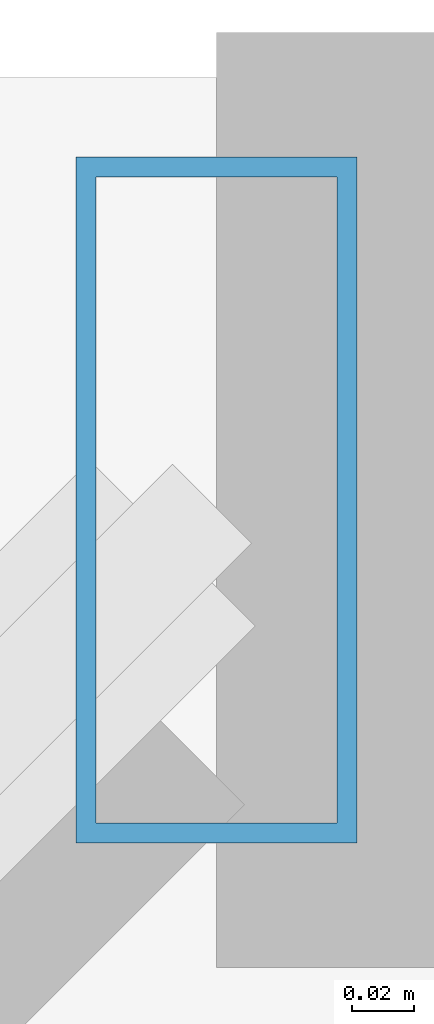
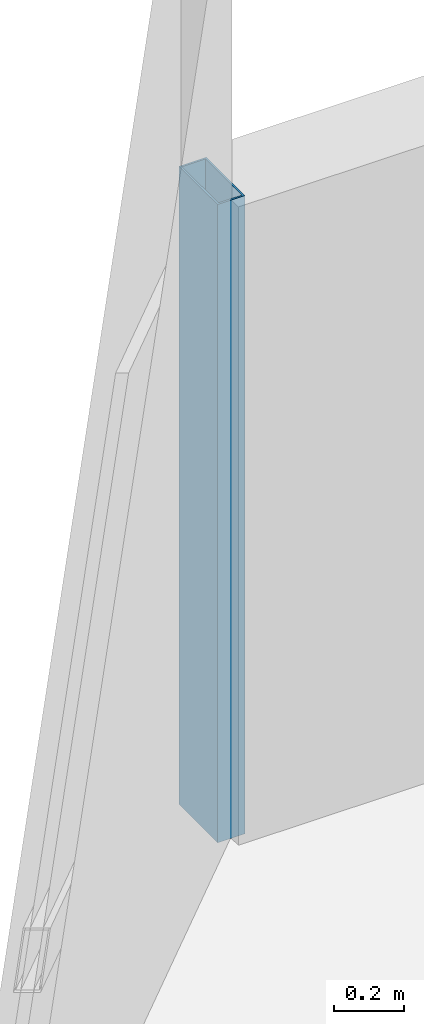
# One storey, part 9 of 36: 1 member, 1 element without a shape of its own.
"""IFC4 building model written with IfcOpenShell, lengths in metres."""

from ifc_helpers import new_model, si_unit, direction, frame, origin, origin_2d, place, context, subcontext, project, spatial, hollow_rectangle, extrude, material, material_profile, profile_set, type_object, element, aggregate, save


model = new_model("IFC4")

# Units and contexts
model_context = context("Model", 3, precision=1e-05, world=origin(), true_north=direction((0.0, 1.0)))
body_context = subcontext(model_context, "Body", "Model", "MODEL_VIEW")
ifc_project = project(units=[si_unit("LENGTHUNIT", "METRE"), si_unit("AREAUNIT", "SQUARE_METRE"), si_unit("VOLUMEUNIT", "CUBIC_METRE"), si_unit("PLANEANGLEUNIT", "RADIAN"), si_unit("MASSUNIT", "GRAM", prefix="KILO")], contexts=[model_context])

# Site, building, storey
site_placement = place(None, origin())
site = spatial("IfcSite", under=ifc_project, at=site_placement, CompositionType="ELEMENT")
building_placement = place(site_placement, origin())
building = spatial("IfcBuilding", under=site, at=building_placement, Name="Thornwick Lancets Civic Towers", CompositionType="ELEMENT")
storey_placement = place(building_placement, frame((0.0, 0.0, 116.10009765625)))
storey = spatial("IfcBuildingStorey", under=building, at=storey_placement, Name="L30", CompositionType="ELEMENT", Elevation=116.10009765625)

# Curtain wall, member
ifc_material_1 = material(Name="Low-zone chamfered-corner unitised glass curtain wall", Category="glass")
curtain_wall_type = type_object("IfcCurtainWallType", Name="CW_SYS_03", PredefinedType="NOTDEFINED", material=ifc_material_1)
curtain_wall_placement = place(storey_placement, origin())
curtain_wall = element("IfcCurtainWall", 1, at=curtain_wall_placement, inside=storey, type_object=curtain_wall_type, Name="L30 Curtain Wall CW-L30-A-E5", PredefinedType="NOTDEFINED")
ifc_material_2 = material(Name="Thermally broken bronze aluminium S355", Category="steel")
ifc_material_profile = material_profile(ifc_material_2, hollow_rectangle(XDim=0.090087890625, YDim=0.219970703125, WallThickness=0.00634765625, at=origin_2d()), Name="RHS 220x90x6.3")
ifc_profile_set = profile_set([ifc_material_profile], Name="Thermally broken bronze aluminium S355")
member_type = type_object("IfcMemberType", Name="CW_MUL_220", PredefinedType="MULLION", material=ifc_profile_set)
member_placement = place(storey_placement, frame((4.11865234375, 50.964599609375, 0.0), z_axis=(0.0, 0.0, 1.0), x_axis=(1.0, 0.0, 0.0)))
member = element("IfcMember", 2, at=member_placement, type_object=member_type, Name="CW-L30-A-E5 Mullion 0", PredefinedType="MULLION", context=body_context, shape_type="SweptSolid", body=[
    extrude(hollow_rectangle(XDim=0.090087890625, YDim=0.219970703125, WallThickness=0.00634765625, at=origin_2d()), origin(), (0.0, 0.0, 1.0), 2.219970703125),
])
aggregate(curtain_wall, [member])

save(model, "model.ifc")
